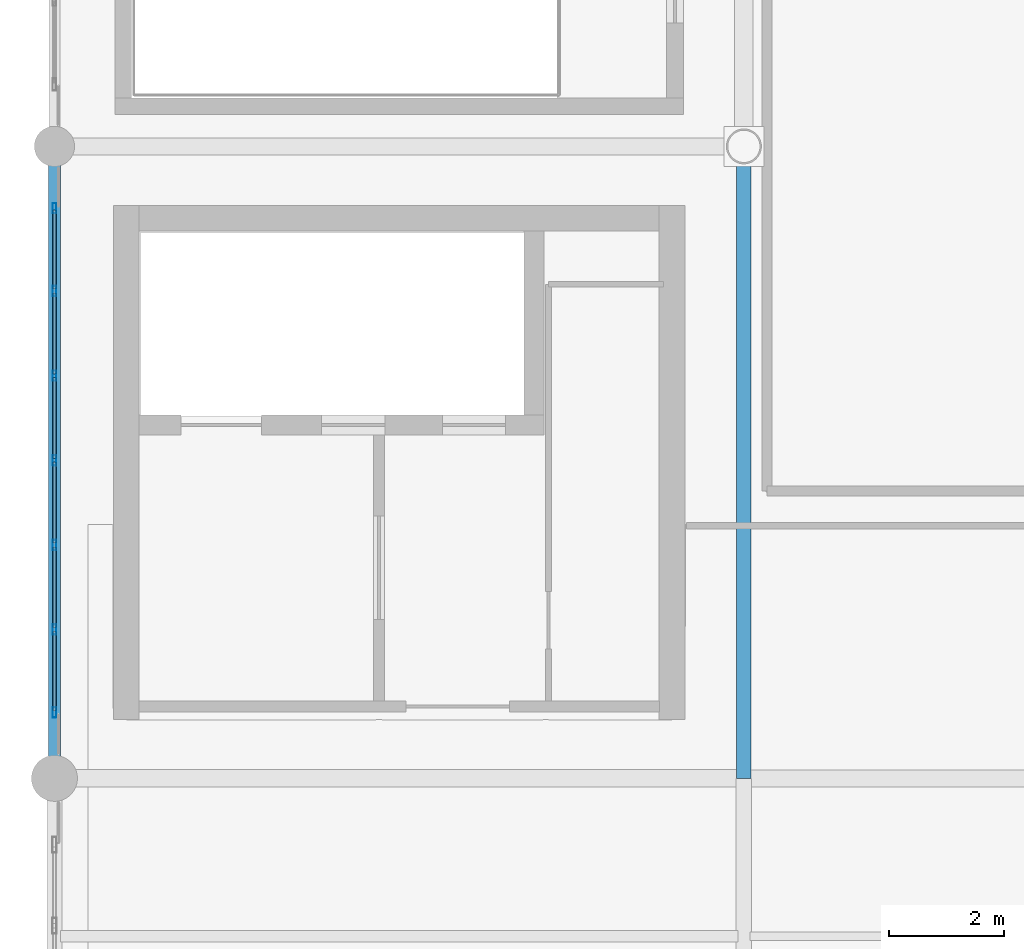
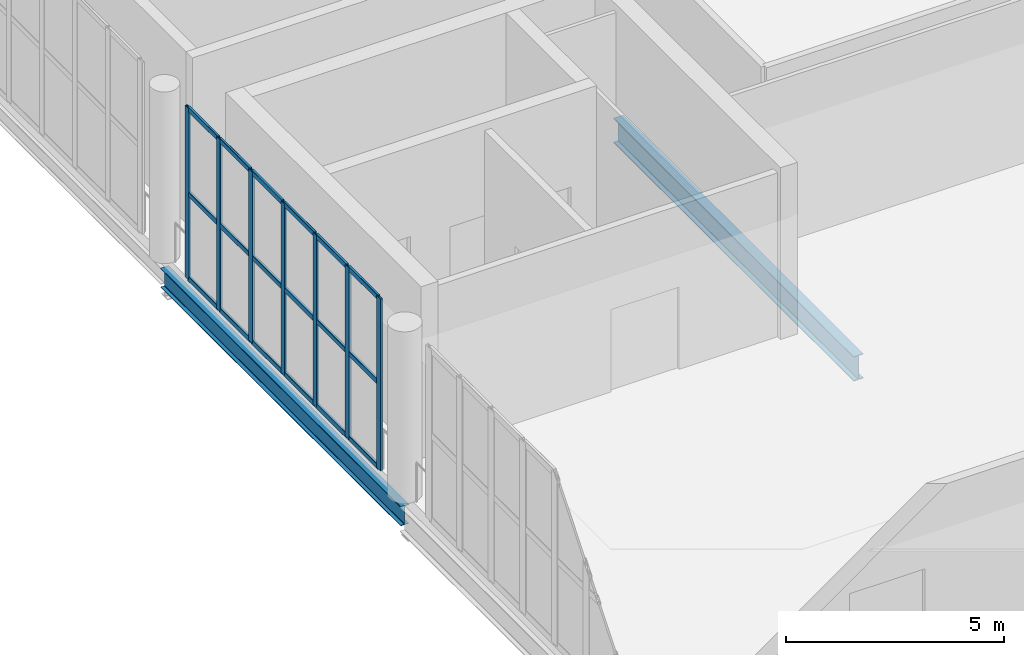
# One storey, part 14 of 49: 25 members, 2 beams, 1 element without a shape of its own.
"""IFC4 building model written with IfcOpenShell, lengths in metres."""

from ifc_helpers import new_model, si_unit, direction, frame, origin, origin_2d, place, context, subcontext, project, spatial, hollow_rectangle, i_section, extrude, material, layer, layer_set, material_profile, profile_set, type_object, element, aggregate, save


model = new_model("IFC4")

# Units and contexts
model_context = context("Model", 3, precision=1e-05, world=origin(), true_north=direction((0.0, 1.0)))
body_context = subcontext(model_context, "Body", "Model", "MODEL_VIEW")
ifc_project = project(units=[si_unit("LENGTHUNIT", "METRE"), si_unit("AREAUNIT", "SQUARE_METRE"), si_unit("VOLUMEUNIT", "CUBIC_METRE"), si_unit("PLANEANGLEUNIT", "RADIAN"), si_unit("MASSUNIT", "GRAM", prefix="KILO")], contexts=[model_context])

# Site, building, storey
site_placement = place(None, origin())
site = spatial("IfcSite", under=ifc_project, at=site_placement, CompositionType="ELEMENT")
building_placement = place(site_placement, origin())
building = spatial("IfcBuilding", under=site, at=building_placement, Name="Brinegate Civic Arena", CompositionType="ELEMENT")
storey_placement = place(building_placement, frame((0.0, 0.0, 24.60009765625)))
storey = spatial("IfcBuildingStorey", under=building, at=storey_placement, Name="L05", CompositionType="ELEMENT", Elevation=24.60009765625)

# Curtain wall, members
ifc_material_1 = material(Name="Marine grade aluminium", Category="aluminium")
ifc_layer = layer(ifc_material_1, 0.199951171875, Name="Marine grade aluminium")
ifc_layer_set = layer_set([ifc_layer], Name="Marine grade aluminium")
curtain_wall_type = type_object("IfcCurtainWallType", Name="CW-BOWL-GLAZED-01", PredefinedType="USERDEFINED", material=ifc_layer_set)
curtain_wall_placement = place(storey_placement, origin())
curtain_wall = element("IfcCurtainWall", 1, at=curtain_wall_placement, inside=storey, type_object=curtain_wall_type, Name="Curtain Wall CWA-156", ObjectType="GLAZED CURTAIN WALL", PredefinedType="USERDEFINED")
ifc_material_profile_1 = material_profile(ifc_material_1, hollow_rectangle(XDim=0.06494140625, YDim=0.179931640625, WallThickness=0.0048828125, InnerFilletRadius=0.00390625, OuterFilletRadius=0.008056640625, at=origin_2d()), Name="MUL65X180")
ifc_profile_set_1 = profile_set([ifc_material_profile_1], Name="Marine grade aluminium")
member_type_1 = type_object("IfcMemberType", Name="CW-MULLION-65X180", PredefinedType="MULLION", material=ifc_profile_set_1)
member_1_placement = place(storey_placement, frame((48.0, 32.1484375, 0.0), z_axis=(0.0, 0.0, 1.0), x_axis=(-1.0, 0.0, 0.0)))
member_1 = element("IfcMember", 2, at=member_1_placement, type_object=member_type_1, Name="CWA-156 mullion 1", PredefinedType="MULLION", context=body_context, shape_type="SweptSolid", body=[
    extrude(hollow_rectangle(XDim=0.06494140625, YDim=0.179931640625, WallThickness=0.0048828125, InnerFilletRadius=0.00390625, OuterFilletRadius=0.008056640625, at=origin_2d()), origin(), (0.0, 0.0, 1.0), 4.7998046875),
])
member_2_placement = place(storey_placement, frame((48.0, 33.589111328125, 0.0), z_axis=(0.0, 0.0, 1.0), x_axis=(-1.0, 0.0, 0.0)))
member_2 = element("IfcMember", 3, at=member_2_placement, type_object=member_type_1, Name="CWA-156 mullion 2", PredefinedType="MULLION", context=body_context, shape_type="SweptSolid", body=[
    extrude(hollow_rectangle(XDim=0.06494140625, YDim=0.179931640625, WallThickness=0.0048828125, InnerFilletRadius=0.00390625, OuterFilletRadius=0.008056640625, at=origin_2d()), origin(), (0.0, 0.0, 1.0), 4.7998046875),
])
member_3_placement = place(storey_placement, frame((48.0, 35.062255859375, 0.0), z_axis=(0.0, 0.0, 1.0), x_axis=(-1.0, 0.0, 0.0)))
member_3 = element("IfcMember", 4, at=member_3_placement, type_object=member_type_1, Name="CWA-156 mullion 3", PredefinedType="MULLION", context=body_context, shape_type="SweptSolid", body=[
    extrude(hollow_rectangle(XDim=0.06494140625, YDim=0.179931640625, WallThickness=0.0048828125, InnerFilletRadius=0.00390625, OuterFilletRadius=0.008056640625, at=origin_2d()), origin(), (0.0, 0.0, 1.0), 4.7998046875),
])
member_4_placement = place(storey_placement, frame((48.0, 36.535400390625, 0.0), z_axis=(0.0, 0.0, 1.0), x_axis=(-1.0, 0.0, 0.0)))
member_4 = element("IfcMember", 5, at=member_4_placement, type_object=member_type_1, Name="CWA-156 mullion 4", PredefinedType="MULLION", context=body_context, shape_type="SweptSolid", body=[
    extrude(hollow_rectangle(XDim=0.06494140625, YDim=0.179931640625, WallThickness=0.0048828125, InnerFilletRadius=0.00390625, OuterFilletRadius=0.008056640625, at=origin_2d()), origin(), (0.0, 0.0, 1.0), 4.7998046875),
])
member_5_placement = place(storey_placement, frame((48.0, 38.008544921875, 0.0), z_axis=(0.0, 0.0, 1.0), x_axis=(-1.0, 0.0, 0.0)))
member_5 = element("IfcMember", 6, at=member_5_placement, type_object=member_type_1, Name="CWA-156 mullion 5", PredefinedType="MULLION", context=body_context, shape_type="SweptSolid", body=[
    extrude(hollow_rectangle(XDim=0.06494140625, YDim=0.179931640625, WallThickness=0.0048828125, InnerFilletRadius=0.00390625, OuterFilletRadius=0.008056640625, at=origin_2d()), origin(), (0.0, 0.0, 1.0), 4.7998046875),
])
member_6_placement = place(storey_placement, frame((48.0, 39.48193359375, 0.0), z_axis=(0.0, 0.0, 1.0), x_axis=(-1.0, 0.0, 0.0)))
member_6 = element("IfcMember", 7, at=member_6_placement, type_object=member_type_1, Name="CWA-156 mullion 6", PredefinedType="MULLION", context=body_context, shape_type="SweptSolid", body=[
    extrude(hollow_rectangle(XDim=0.06494140625, YDim=0.179931640625, WallThickness=0.0048828125, InnerFilletRadius=0.00390625, OuterFilletRadius=0.008056640625, at=origin_2d()), origin(), (0.0, 0.0, 1.0), 4.7998046875),
])
member_7_placement = place(storey_placement, frame((48.0, 40.922607421875, 0.0), z_axis=(0.0, 0.0, 1.0), x_axis=(-1.0, 0.0, 0.0)))
member_7 = element("IfcMember", 8, at=member_7_placement, type_object=member_type_1, Name="CWA-156 mullion 7", PredefinedType="MULLION", context=body_context, shape_type="SweptSolid", body=[
    extrude(hollow_rectangle(XDim=0.06494140625, YDim=0.179931640625, WallThickness=0.0048828125, InnerFilletRadius=0.00390625, OuterFilletRadius=0.008056640625, at=origin_2d()), origin(), (0.0, 0.0, 1.0), 4.7998046875),
])
ifc_material_profile_2 = material_profile(ifc_material_1, hollow_rectangle(XDim=0.06494140625, YDim=0.139892578125, WallThickness=0.0048828125, InnerFilletRadius=0.00390625, OuterFilletRadius=0.008056640625, at=origin_2d()), Name="TRN65X140")
ifc_profile_set_2 = profile_set([ifc_material_profile_2], Name="Marine grade aluminium")
member_type_2 = type_object("IfcMemberType", Name="CW-TRANSOM-65X140", PredefinedType="USERDEFINED", material=ifc_profile_set_2)
member_8_placement = place(storey_placement, frame((48.0, 32.180908203125, 0.032470703125), z_axis=(0.0, 1.0, 0.0), x_axis=(-1.0, 0.0, 0.0)))
member_8 = element("IfcMember", 9, at=member_8_placement, type_object=member_type_2, Name="CWA-156 transom 1.1", ObjectType="TRANSOM", PredefinedType="USERDEFINED", context=body_context, shape_type="SweptSolid", body=[
    extrude(hollow_rectangle(XDim=0.06494140625, YDim=0.139892578125, WallThickness=0.0048828125, InnerFilletRadius=0.00390625, OuterFilletRadius=0.008056640625, at=origin_2d()), origin(), (0.0, 0.0, 1.0), 1.375732421875),
])
member_9_placement = place(storey_placement, frame((48.0, 32.180908203125, 2.39990234375), z_axis=(0.0, 1.0, 0.0), x_axis=(-1.0, 0.0, 0.0)))
member_9 = element("IfcMember", 10, at=member_9_placement, type_object=member_type_2, Name="CWA-156 transom 1.2", ObjectType="TRANSOM", PredefinedType="USERDEFINED", context=body_context, shape_type="SweptSolid", body=[
    extrude(hollow_rectangle(XDim=0.06494140625, YDim=0.139892578125, WallThickness=0.0048828125, InnerFilletRadius=0.00390625, OuterFilletRadius=0.008056640625, at=origin_2d()), origin(), (0.0, 0.0, 1.0), 1.375732421875),
])
member_10_placement = place(storey_placement, frame((48.0, 32.180908203125, 4.767333984375), z_axis=(0.0, 1.0, 0.0), x_axis=(-1.0, 0.0, 0.0)))
member_10 = element("IfcMember", 11, at=member_10_placement, type_object=member_type_2, Name="CWA-156 transom 1.3", ObjectType="TRANSOM", PredefinedType="USERDEFINED", context=body_context, shape_type="SweptSolid", body=[
    extrude(hollow_rectangle(XDim=0.06494140625, YDim=0.139892578125, WallThickness=0.0048828125, InnerFilletRadius=0.00390625, OuterFilletRadius=0.008056640625, at=origin_2d()), origin(), (0.0, 0.0, 1.0), 1.375732421875),
])
member_11_placement = place(storey_placement, frame((48.0, 33.62158203125, 0.032470703125), z_axis=(0.0, 1.0, 0.0), x_axis=(-1.0, 0.0, 0.0)))
member_11 = element("IfcMember", 12, at=member_11_placement, type_object=member_type_2, Name="CWA-156 transom 2.1", ObjectType="TRANSOM", PredefinedType="USERDEFINED", context=body_context, shape_type="SweptSolid", body=[
    extrude(hollow_rectangle(XDim=0.06494140625, YDim=0.139892578125, WallThickness=0.0048828125, InnerFilletRadius=0.00390625, OuterFilletRadius=0.008056640625, at=origin_2d()), origin(), (0.0, 0.0, 1.0), 1.408203125),
])
member_12_placement = place(storey_placement, frame((48.0, 33.62158203125, 2.39990234375), z_axis=(0.0, 1.0, 0.0), x_axis=(-1.0, 0.0, 0.0)))
member_12 = element("IfcMember", 13, at=member_12_placement, type_object=member_type_2, Name="CWA-156 transom 2.2", ObjectType="TRANSOM", PredefinedType="USERDEFINED", context=body_context, shape_type="SweptSolid", body=[
    extrude(hollow_rectangle(XDim=0.06494140625, YDim=0.139892578125, WallThickness=0.0048828125, InnerFilletRadius=0.00390625, OuterFilletRadius=0.008056640625, at=origin_2d()), origin(), (0.0, 0.0, 1.0), 1.408203125),
])
member_13_placement = place(storey_placement, frame((48.0, 33.62158203125, 4.767333984375), z_axis=(0.0, 1.0, 0.0), x_axis=(-1.0, 0.0, 0.0)))
member_13 = element("IfcMember", 14, at=member_13_placement, type_object=member_type_2, Name="CWA-156 transom 2.3", ObjectType="TRANSOM", PredefinedType="USERDEFINED", context=body_context, shape_type="SweptSolid", body=[
    extrude(hollow_rectangle(XDim=0.06494140625, YDim=0.139892578125, WallThickness=0.0048828125, InnerFilletRadius=0.00390625, OuterFilletRadius=0.008056640625, at=origin_2d()), origin(), (0.0, 0.0, 1.0), 1.408203125),
])
member_14_placement = place(storey_placement, frame((48.0, 35.0947265625, 0.032470703125), z_axis=(0.0, 1.0, 0.0), x_axis=(-1.0, 0.0, 0.0)))
member_14 = element("IfcMember", 15, at=member_14_placement, type_object=member_type_2, Name="CWA-156 transom 3.1", ObjectType="TRANSOM", PredefinedType="USERDEFINED", context=body_context, shape_type="SweptSolid", body=[
    extrude(hollow_rectangle(XDim=0.06494140625, YDim=0.139892578125, WallThickness=0.0048828125, InnerFilletRadius=0.00390625, OuterFilletRadius=0.008056640625, at=origin_2d()), origin(), (0.0, 0.0, 1.0), 1.408203125),
])
member_15_placement = place(storey_placement, frame((48.0, 35.0947265625, 2.39990234375), z_axis=(0.0, 1.0, 0.0), x_axis=(-1.0, 0.0, 0.0)))
member_15 = element("IfcMember", 16, at=member_15_placement, type_object=member_type_2, Name="CWA-156 transom 3.2", ObjectType="TRANSOM", PredefinedType="USERDEFINED", context=body_context, shape_type="SweptSolid", body=[
    extrude(hollow_rectangle(XDim=0.06494140625, YDim=0.139892578125, WallThickness=0.0048828125, InnerFilletRadius=0.00390625, OuterFilletRadius=0.008056640625, at=origin_2d()), origin(), (0.0, 0.0, 1.0), 1.408203125),
])
member_16_placement = place(storey_placement, frame((48.0, 35.0947265625, 4.767333984375), z_axis=(0.0, 1.0, 0.0), x_axis=(-1.0, 0.0, 0.0)))
member_16 = element("IfcMember", 17, at=member_16_placement, type_object=member_type_2, Name="CWA-156 transom 3.3", ObjectType="TRANSOM", PredefinedType="USERDEFINED", context=body_context, shape_type="SweptSolid", body=[
    extrude(hollow_rectangle(XDim=0.06494140625, YDim=0.139892578125, WallThickness=0.0048828125, InnerFilletRadius=0.00390625, OuterFilletRadius=0.008056640625, at=origin_2d()), origin(), (0.0, 0.0, 1.0), 1.408203125),
])
member_17_placement = place(storey_placement, frame((48.0, 36.568115234375, 0.032470703125), z_axis=(0.0, 1.0, 0.0), x_axis=(-1.0, 0.0, 0.0)))
member_17 = element("IfcMember", 18, at=member_17_placement, type_object=member_type_2, Name="CWA-156 transom 4.1", ObjectType="TRANSOM", PredefinedType="USERDEFINED", context=body_context, shape_type="SweptSolid", body=[
    extrude(hollow_rectangle(XDim=0.06494140625, YDim=0.139892578125, WallThickness=0.0048828125, InnerFilletRadius=0.00390625, OuterFilletRadius=0.008056640625, at=origin_2d()), origin(), (0.0, 0.0, 1.0), 1.407958984375),
])
member_18_placement = place(storey_placement, frame((48.0, 36.568115234375, 2.39990234375), z_axis=(0.0, 1.0, 0.0), x_axis=(-1.0, 0.0, 0.0)))
member_18 = element("IfcMember", 19, at=member_18_placement, type_object=member_type_2, Name="CWA-156 transom 4.2", ObjectType="TRANSOM", PredefinedType="USERDEFINED", context=body_context, shape_type="SweptSolid", body=[
    extrude(hollow_rectangle(XDim=0.06494140625, YDim=0.139892578125, WallThickness=0.0048828125, InnerFilletRadius=0.00390625, OuterFilletRadius=0.008056640625, at=origin_2d()), origin(), (0.0, 0.0, 1.0), 1.407958984375),
])
member_19_placement = place(storey_placement, frame((48.0, 36.568115234375, 4.767333984375), z_axis=(0.0, 1.0, 0.0), x_axis=(-1.0, 0.0, 0.0)))
member_19 = element("IfcMember", 20, at=member_19_placement, type_object=member_type_2, Name="CWA-156 transom 4.3", ObjectType="TRANSOM", PredefinedType="USERDEFINED", context=body_context, shape_type="SweptSolid", body=[
    extrude(hollow_rectangle(XDim=0.06494140625, YDim=0.139892578125, WallThickness=0.0048828125, InnerFilletRadius=0.00390625, OuterFilletRadius=0.008056640625, at=origin_2d()), origin(), (0.0, 0.0, 1.0), 1.407958984375),
])
member_20_placement = place(storey_placement, frame((48.0, 38.041259765625, 0.032470703125), z_axis=(0.0, 1.0, 0.0), x_axis=(-1.0, 0.0, 0.0)))
member_20 = element("IfcMember", 21, at=member_20_placement, type_object=member_type_2, Name="CWA-156 transom 5.1", ObjectType="TRANSOM", PredefinedType="USERDEFINED", context=body_context, shape_type="SweptSolid", body=[
    extrude(hollow_rectangle(XDim=0.06494140625, YDim=0.139892578125, WallThickness=0.0048828125, InnerFilletRadius=0.00390625, OuterFilletRadius=0.008056640625, at=origin_2d()), origin(), (0.0, 0.0, 1.0), 1.407958984375),
])
member_21_placement = place(storey_placement, frame((48.0, 38.041259765625, 2.39990234375), z_axis=(0.0, 1.0, 0.0), x_axis=(-1.0, 0.0, 0.0)))
member_21 = element("IfcMember", 22, at=member_21_placement, type_object=member_type_2, Name="CWA-156 transom 5.2", ObjectType="TRANSOM", PredefinedType="USERDEFINED", context=body_context, shape_type="SweptSolid", body=[
    extrude(hollow_rectangle(XDim=0.06494140625, YDim=0.139892578125, WallThickness=0.0048828125, InnerFilletRadius=0.00390625, OuterFilletRadius=0.008056640625, at=origin_2d()), origin(), (0.0, 0.0, 1.0), 1.407958984375),
])
member_22_placement = place(storey_placement, frame((48.0, 38.041259765625, 4.767333984375), z_axis=(0.0, 1.0, 0.0), x_axis=(-1.0, 0.0, 0.0)))
member_22 = element("IfcMember", 23, at=member_22_placement, type_object=member_type_2, Name="CWA-156 transom 5.3", ObjectType="TRANSOM", PredefinedType="USERDEFINED", context=body_context, shape_type="SweptSolid", body=[
    extrude(hollow_rectangle(XDim=0.06494140625, YDim=0.139892578125, WallThickness=0.0048828125, InnerFilletRadius=0.00390625, OuterFilletRadius=0.008056640625, at=origin_2d()), origin(), (0.0, 0.0, 1.0), 1.407958984375),
])
member_23_placement = place(storey_placement, frame((48.0, 39.514404296875, 0.032470703125), z_axis=(0.0, 1.0, 0.0), x_axis=(-1.0, 0.0, 0.0)))
member_23 = element("IfcMember", 24, at=member_23_placement, type_object=member_type_2, Name="CWA-156 transom 6.1", ObjectType="TRANSOM", PredefinedType="USERDEFINED", context=body_context, shape_type="SweptSolid", body=[
    extrude(hollow_rectangle(XDim=0.06494140625, YDim=0.139892578125, WallThickness=0.0048828125, InnerFilletRadius=0.00390625, OuterFilletRadius=0.008056640625, at=origin_2d()), origin(), (0.0, 0.0, 1.0), 1.37548828125),
])
member_24_placement = place(storey_placement, frame((48.0, 39.514404296875, 2.39990234375), z_axis=(0.0, 1.0, 0.0), x_axis=(-1.0, 0.0, 0.0)))
member_24 = element("IfcMember", 25, at=member_24_placement, type_object=member_type_2, Name="CWA-156 transom 6.2", ObjectType="TRANSOM", PredefinedType="USERDEFINED", context=body_context, shape_type="SweptSolid", body=[
    extrude(hollow_rectangle(XDim=0.06494140625, YDim=0.139892578125, WallThickness=0.0048828125, InnerFilletRadius=0.00390625, OuterFilletRadius=0.008056640625, at=origin_2d()), origin(), (0.0, 0.0, 1.0), 1.37548828125),
])
member_25_placement = place(storey_placement, frame((48.0, 39.514404296875, 4.767333984375), z_axis=(0.0, 1.0, 0.0), x_axis=(-1.0, 0.0, 0.0)))
member_25 = element("IfcMember", 26, at=member_25_placement, type_object=member_type_2, Name="CWA-156 transom 6.3", ObjectType="TRANSOM", PredefinedType="USERDEFINED", context=body_context, shape_type="SweptSolid", body=[
    extrude(hollow_rectangle(XDim=0.06494140625, YDim=0.139892578125, WallThickness=0.0048828125, InnerFilletRadius=0.00390625, OuterFilletRadius=0.008056640625, at=origin_2d()), origin(), (0.0, 0.0, 1.0), 1.37548828125),
])
aggregate(curtain_wall, [member_1, member_2, member_3, member_4, member_5, member_6, member_7, member_8, member_9, member_10, member_11, member_12, member_13, member_14, member_15, member_16, member_17, member_18, member_19, member_20, member_21, member_22, member_23, member_24, member_25])

# Beams
ifc_material_2 = material(Name="Steel S355", Category="steel")
ifc_material_profile_3 = material_profile(ifc_material_2, i_section(OverallWidth=0.256103515625, OverallDepth=0.693115234375, WebThickness=0.014892578125, FlangeThickness=0.02392578125, FilletRadius=0.01806640625, at=origin_2d()), Name="W690X170")
ifc_profile_set_3 = profile_set([ifc_material_profile_3], Name="Steel S355")
beam_type_1 = type_object("IfcBeamType", Name="GIRDER-W690X170", PredefinedType="BEAM", material=ifc_profile_set_3)
beam_1_placement = place(storey_placement, frame((60.0, 31.0, -0.676025390625), z_axis=(0.0, 1.0, 0.0), x_axis=(-1.0, 0.0, 0.0)))
element("IfcBeam", 27, at=beam_1_placement, inside=storey, type_object=beam_type_1, Name="Floor Girder BM-L05-GY-05-03", PredefinedType="BEAM", context=body_context, shape_type="SweptSolid", body=[
    extrude(i_section(OverallWidth=0.256103515625, OverallDepth=0.693115234375, WebThickness=0.014892578125, FlangeThickness=0.02392578125, FilletRadius=0.01806640625, at=origin_2d()), origin(), (0.0, 0.0, 1.0), 11.0),
])
ifc_material_profile_4 = material_profile(ifc_material_2, i_section(OverallWidth=0.2119140625, OverallDepth=0.5439453125, WebThickness=0.012939453125, FlangeThickness=0.02099609375, FilletRadius=0.01611328125, at=origin_2d()), Name="W530X123")
ifc_profile_set_4 = profile_set([ifc_material_profile_4], Name="Steel S355")
beam_type_2 = type_object("IfcBeamType", Name="SPANDREL-W530X123", PredefinedType="SPANDREL", material=ifc_profile_set_4)
beam_2_placement = place(storey_placement, frame((48.0, 31.0, -0.60205078125), z_axis=(0.0, 1.0, 0.0), x_axis=(-1.0, 0.0, 0.0)))
element("IfcBeam", 28, at=beam_2_placement, inside=storey, type_object=beam_type_2, Name="Floor Girder BM-L05-GY-04-03", PredefinedType="SPANDREL", context=body_context, shape_type="SweptSolid", body=[
    extrude(i_section(OverallWidth=0.2119140625, OverallDepth=0.5439453125, WebThickness=0.012939453125, FlangeThickness=0.02099609375, FilletRadius=0.01611328125, at=origin_2d()), origin(), (0.0, 0.0, 1.0), 11.0),
])

save(model, "model.ifc")
